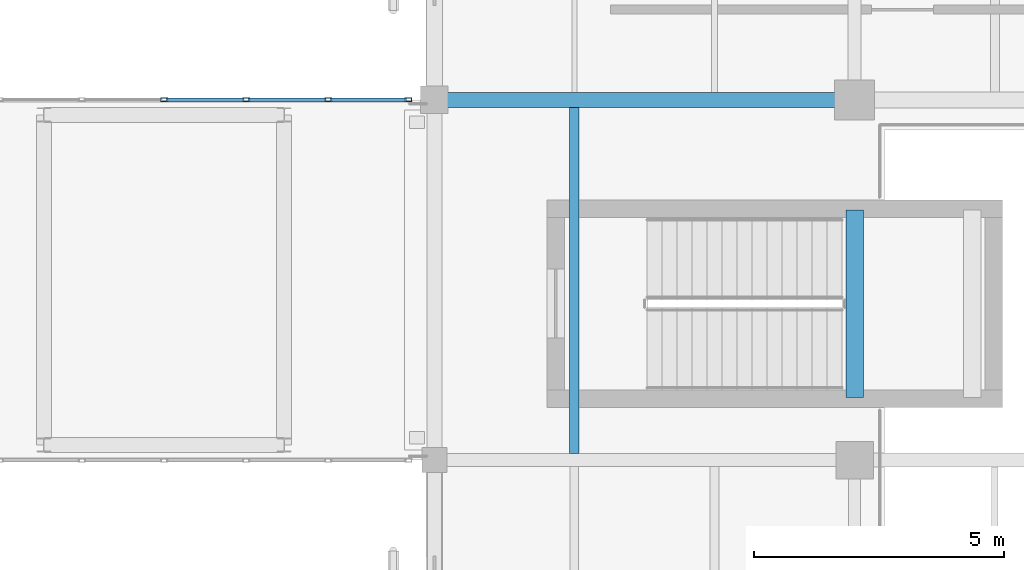
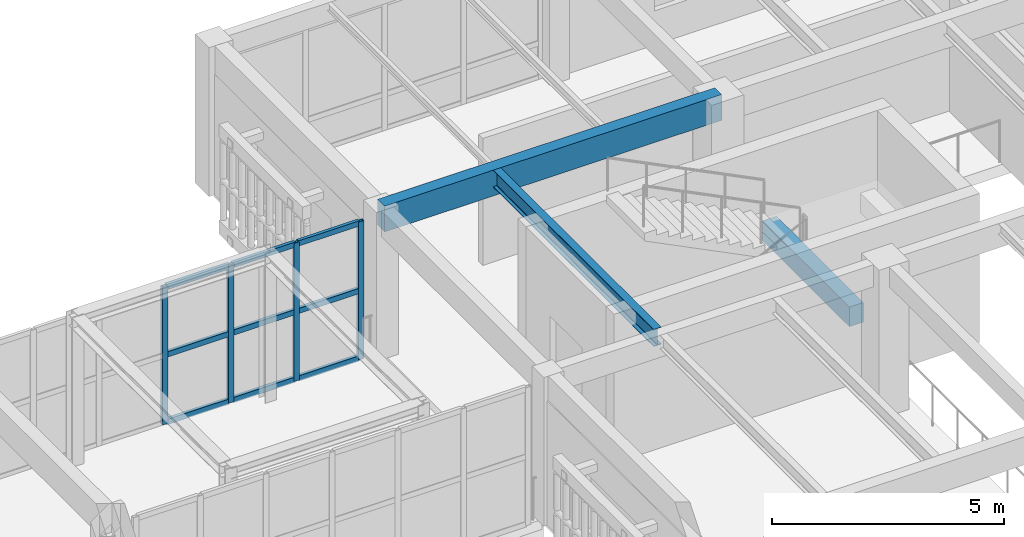
# One storey, part 27 of 170: 13 members, 3 beams, 1 element without a shape of its own.
"""IFC4 building model written with IfcOpenShell, lengths in metres."""

from ifc_helpers import new_model, si_unit, direction, frame, origin, origin_2d, place, context, subcontext, project, spatial, rectangle, hollow_rectangle, i_section, extrude, material, layer, layer_set, material_profile, profile_set, type_object, element, aggregate, save


model = new_model("IFC4")

# Units and contexts
model_context = context("Model", 3, precision=1e-05, world=origin(), true_north=direction((0.0, 1.0)))
body_context = subcontext(model_context, "Body", "Model", "MODEL_VIEW")
ifc_project = project(units=[si_unit("LENGTHUNIT", "METRE"), si_unit("AREAUNIT", "SQUARE_METRE"), si_unit("VOLUMEUNIT", "CUBIC_METRE"), si_unit("PLANEANGLEUNIT", "RADIAN"), si_unit("MASSUNIT", "GRAM", prefix="KILO")], contexts=[model_context])

# Site, building, storey
site_placement = place(None, origin())
site = spatial("IfcSite", under=ifc_project, at=site_placement, CompositionType="ELEMENT")
building_placement = place(site_placement, origin())
building = spatial("IfcBuilding", under=site, at=building_placement, Name="Mazaris Harbour Polytechnic", CompositionType="ELEMENT")
storey_placement = place(building_placement, frame((0.0, 0.0, 5.39990234375)))
storey = spatial("IfcBuildingStorey", under=building, at=storey_placement, Name="L01", CompositionType="ELEMENT", Elevation=5.39990234375)

# Curtain wall, members
ifc_material_1 = material(Name="Anodised Bronze Aluminium and Low-E Glass", Category="aluminium")
ifc_layer = layer(ifc_material_1, 0.139892578125, Name="Anodised Bronze Aluminium and Low-E Glass")
ifc_layer_set = layer_set([ifc_layer], Name="Anodised Bronze Aluminium and Low-E Glass")
curtain_wall_type = type_object("IfcCurtainWallType", Name="Seismic Link Bridge Glazing", PredefinedType="NOTDEFINED", material=ifc_layer_set)
curtain_wall_placement = place(storey_placement, origin())
curtain_wall = element("IfcCurtainWall", 1, at=curtain_wall_placement, inside=storey, type_object=curtain_wall_type, Name="PB-W1 L01 Bridge Glazing", PredefinedType="NOTDEFINED")
ifc_material_2 = material(Name="Anodised Bronze Steel S355", Category="steel")
ifc_material_profile_1 = material_profile(ifc_material_2, hollow_rectangle(XDim=0.080078125, YDim=0.139892578125, WallThickness=0.00634765625, at=origin_2d()), Name="RHS 80x140x6.3")
ifc_profile_set_1 = profile_set([ifc_material_profile_1], Name="Anodised Bronze Steel S355")
member_type_1 = type_object("IfcMemberType", Name="Curtain Mullion RHS80x140", PredefinedType="MULLION", material=ifc_profile_set_1)
member_1_placement = place(storey_placement, frame((53.47998046875, 28.800048828125, 0.0), z_axis=(0.0, 0.0, 1.0), x_axis=(0.0, -1.0, 0.0)))
member_1 = element("IfcMember", 2, at=member_1_placement, type_object=member_type_1, Name="CW-05 mullion 1", PredefinedType="MULLION", context=body_context, shape_type="SweptSolid", body=[
    extrude(hollow_rectangle(XDim=0.080078125, YDim=0.139892578125, WallThickness=0.00634765625, at=origin_2d()), origin(), (0.0, 0.0, 1.0), 3.635009765625),
])
member_2_placement = place(storey_placement, frame((51.8798828125, 28.800048828125, 0.0), z_axis=(0.0, 0.0, 1.0), x_axis=(0.0, -1.0, 0.0)))
member_2 = element("IfcMember", 3, at=member_2_placement, type_object=member_type_1, Name="CW-05 mullion 2", PredefinedType="MULLION", context=body_context, shape_type="SweptSolid", body=[
    extrude(hollow_rectangle(XDim=0.080078125, YDim=0.139892578125, WallThickness=0.00634765625, at=origin_2d()), origin(), (0.0, 0.0, 1.0), 3.635009765625),
])
member_3_placement = place(storey_placement, frame((50.239990234375, 28.800048828125, 0.0), z_axis=(0.0, 0.0, 1.0), x_axis=(0.0, -1.0, 0.0)))
member_3 = element("IfcMember", 4, at=member_3_placement, type_object=member_type_1, Name="CW-05 mullion 3", PredefinedType="MULLION", context=body_context, shape_type="SweptSolid", body=[
    extrude(hollow_rectangle(XDim=0.080078125, YDim=0.139892578125, WallThickness=0.00634765625, at=origin_2d()), origin(), (0.0, 0.0, 1.0), 3.635009765625),
])
member_4_placement = place(storey_placement, frame((48.60009765625, 28.800048828125, 0.0), z_axis=(0.0, 0.0, 1.0), x_axis=(0.0, -1.0, 0.0)))
member_4 = element("IfcMember", 5, at=member_4_placement, type_object=member_type_1, Name="CW-05 mullion 4", PredefinedType="MULLION", context=body_context, shape_type="SweptSolid", body=[
    extrude(hollow_rectangle(XDim=0.080078125, YDim=0.139892578125, WallThickness=0.00634765625, at=origin_2d()), origin(), (0.0, 0.0, 1.0), 3.635009765625),
])
ifc_material_3 = material(Name="Anodised Bronze Steel S355", Category="steel")
ifc_material_profile_2 = material_profile(ifc_material_3, hollow_rectangle(XDim=0.080078125, YDim=0.139892578125, WallThickness=0.00634765625, at=origin_2d()), Name="RHS 80x140x6.3")
ifc_profile_set_2 = profile_set([ifc_material_profile_2], Name="Anodised Bronze Steel S355")
member_type_2 = type_object("IfcMemberType", Name="Curtain Transom RHS80x140", PredefinedType="USERDEFINED", material=ifc_profile_set_2)
member_5_placement = place(storey_placement, frame((53.43994140625, 28.800048828125, 0.0400390625), z_axis=(-1.0, 0.0, 0.0), x_axis=(0.0, -1.0, 0.0)))
member_5 = element("IfcMember", 6, at=member_5_placement, type_object=member_type_2, Name="CW-05 transom 1.1", ObjectType="TRANSOM", PredefinedType="USERDEFINED", context=body_context, shape_type="SweptSolid", body=[
    extrude(hollow_rectangle(XDim=0.080078125, YDim=0.139892578125, WallThickness=0.00634765625, at=origin_2d()), origin(), (0.0, 0.0, 1.0), 1.52001953125),
])
member_6_placement = place(storey_placement, frame((53.43994140625, 28.800048828125, 1.817626953125), z_axis=(-1.0, 0.0, 0.0), x_axis=(0.0, -1.0, 0.0)))
member_6 = element("IfcMember", 7, at=member_6_placement, type_object=member_type_2, Name="CW-05 transom 1.2", ObjectType="TRANSOM", PredefinedType="USERDEFINED", context=body_context, shape_type="SweptSolid", body=[
    extrude(hollow_rectangle(XDim=0.080078125, YDim=0.139892578125, WallThickness=0.00634765625, at=origin_2d()), origin(), (0.0, 0.0, 1.0), 1.52001953125),
])
member_7_placement = place(storey_placement, frame((53.43994140625, 28.800048828125, 3.59521484375), z_axis=(-1.0, 0.0, 0.0), x_axis=(0.0, -1.0, 0.0)))
member_7 = element("IfcMember", 8, at=member_7_placement, type_object=member_type_2, Name="CW-05 transom 1.3", ObjectType="TRANSOM", PredefinedType="USERDEFINED", context=body_context, shape_type="SweptSolid", body=[
    extrude(hollow_rectangle(XDim=0.080078125, YDim=0.139892578125, WallThickness=0.00634765625, at=origin_2d()), origin(), (0.0, 0.0, 1.0), 1.52001953125),
])
member_8_placement = place(storey_placement, frame((51.840087890625, 28.800048828125, 0.0400390625), z_axis=(-1.0, 0.0, 0.0), x_axis=(0.0, -1.0, 0.0)))
member_8 = element("IfcMember", 9, at=member_8_placement, type_object=member_type_2, Name="CW-05 transom 2.1", ObjectType="TRANSOM", PredefinedType="USERDEFINED", context=body_context, shape_type="SweptSolid", body=[
    extrude(hollow_rectangle(XDim=0.080078125, YDim=0.139892578125, WallThickness=0.00634765625, at=origin_2d()), origin(), (0.0, 0.0, 1.0), 1.56005859375),
])
member_9_placement = place(storey_placement, frame((51.840087890625, 28.800048828125, 1.817626953125), z_axis=(-1.0, 0.0, 0.0), x_axis=(0.0, -1.0, 0.0)))
member_9 = element("IfcMember", 10, at=member_9_placement, type_object=member_type_2, Name="CW-05 transom 2.2", ObjectType="TRANSOM", PredefinedType="USERDEFINED", context=body_context, shape_type="SweptSolid", body=[
    extrude(hollow_rectangle(XDim=0.080078125, YDim=0.139892578125, WallThickness=0.00634765625, at=origin_2d()), origin(), (0.0, 0.0, 1.0), 1.56005859375),
])
member_10_placement = place(storey_placement, frame((51.840087890625, 28.800048828125, 3.59521484375), z_axis=(-1.0, 0.0, 0.0), x_axis=(0.0, -1.0, 0.0)))
member_10 = element("IfcMember", 11, at=member_10_placement, type_object=member_type_2, Name="CW-05 transom 2.3", ObjectType="TRANSOM", PredefinedType="USERDEFINED", context=body_context, shape_type="SweptSolid", body=[
    extrude(hollow_rectangle(XDim=0.080078125, YDim=0.139892578125, WallThickness=0.00634765625, at=origin_2d()), origin(), (0.0, 0.0, 1.0), 1.56005859375),
])
member_11_placement = place(storey_placement, frame((50.199951171875, 28.800048828125, 0.0400390625), z_axis=(-1.0, 0.0, 0.0), x_axis=(0.0, -1.0, 0.0)))
member_11 = element("IfcMember", 12, at=member_11_placement, type_object=member_type_2, Name="CW-05 transom 3.1", ObjectType="TRANSOM", PredefinedType="USERDEFINED", context=body_context, shape_type="SweptSolid", body=[
    extrude(hollow_rectangle(XDim=0.080078125, YDim=0.139892578125, WallThickness=0.00634765625, at=origin_2d()), origin(), (0.0, 0.0, 1.0), 1.56005859375),
])
member_12_placement = place(storey_placement, frame((50.199951171875, 28.800048828125, 1.817626953125), z_axis=(-1.0, 0.0, 0.0), x_axis=(0.0, -1.0, 0.0)))
member_12 = element("IfcMember", 13, at=member_12_placement, type_object=member_type_2, Name="CW-05 transom 3.2", ObjectType="TRANSOM", PredefinedType="USERDEFINED", context=body_context, shape_type="SweptSolid", body=[
    extrude(hollow_rectangle(XDim=0.080078125, YDim=0.139892578125, WallThickness=0.00634765625, at=origin_2d()), origin(), (0.0, 0.0, 1.0), 1.56005859375),
])
member_13_placement = place(storey_placement, frame((50.199951171875, 28.800048828125, 3.59521484375), z_axis=(-1.0, 0.0, 0.0), x_axis=(0.0, -1.0, 0.0)))
member_13 = element("IfcMember", 14, at=member_13_placement, type_object=member_type_2, Name="CW-05 transom 3.3", ObjectType="TRANSOM", PredefinedType="USERDEFINED", context=body_context, shape_type="SweptSolid", body=[
    extrude(hollow_rectangle(XDim=0.080078125, YDim=0.139892578125, WallThickness=0.00634765625, at=origin_2d()), origin(), (0.0, 0.0, 1.0), 1.56005859375),
])
aggregate(curtain_wall, [member_1, member_2, member_3, member_4, member_5, member_6, member_7, member_8, member_9, member_10, member_11, member_12, member_13])

# Beams
ifc_material_4 = material(Name="Glulam GL32h", Category="wood")
ifc_material_profile_3 = material_profile(ifc_material_4, rectangle(XDim=0.300048828125, YDim=0.679931640625, at=origin_2d()), Name="RECT300x680")
ifc_profile_set_3 = profile_set([ifc_material_profile_3], Name="Glulam GL32h")
beam_type_1 = type_object("IfcBeamType", Name="Glulam Girder 300x680", PredefinedType="BEAM", material=ifc_profile_set_3)
beam_1_placement = place(storey_placement, frame((54.0, 28.800048828125, 3.580078125), z_axis=(1.0, 0.0, 0.0), x_axis=(0.0, 1.0, 0.0)))
element("IfcBeam", 15, at=beam_1_placement, inside=storey, type_object=beam_type_1, Name="V3 L01 Girder 983", PredefinedType="BEAM", context=body_context, shape_type="SweptSolid", body=[
    extrude(rectangle(XDim=0.300048828125, YDim=0.679931640625, at=origin_2d()), origin(), (0.0, 0.0, 1.0), 8.39990234375),
])
ifc_material_5 = material(Name="Concrete C40/50", Category="concrete")
ifc_material_profile_4 = material_profile(ifc_material_5, rectangle(XDim=0.35009765625, YDim=0.52001953125, at=origin_2d()), Name="RECT350x520")
ifc_profile_set_4 = profile_set([ifc_material_profile_4], Name="Concrete C40/50")
beam_type_2 = type_object("IfcBeamType", Name="RC Landing Bearer 350x520", PredefinedType="BEAM", material=ifc_profile_set_4)
beam_2_placement = place(storey_placement, frame((62.39990234375, 22.85009765625, 1.64013671875), z_axis=(0.0, 1.0, 0.0), x_axis=(-1.0, 0.0, 0.0)))
element("IfcBeam", 16, at=beam_2_placement, inside=storey, type_object=beam_type_2, Name="Core ST05 L01 Landing Bearer", PredefinedType="BEAM", context=body_context, shape_type="SweptSolid", body=[
    extrude(rectangle(XDim=0.35009765625, YDim=0.52001953125, at=origin_2d()), origin(), (0.0, 0.0, 1.0), 3.75),
])
ifc_material_6 = material(Name="Steel S355", Category="steel")
ifc_material_profile_5 = material_profile(ifc_material_6, i_section(OverallWidth=0.18994140625, OverallDepth=0.449951171875, WebThickness=0.009521484375, FlangeThickness=0.0146484375, FilletRadius=0.02099609375, at=origin_2d()), Name="IPE 450")
ifc_profile_set_5 = profile_set([ifc_material_profile_5], Name="Steel S355")
beam_type_3 = type_object("IfcBeamType", Name="Steel Joist IPE450", PredefinedType="JOIST", material=ifc_profile_set_5)
beam_3_placement = place(storey_placement, frame((56.800048828125, 21.72998046875, 3.695068359375), z_axis=(0.0, 1.0, 0.0), x_axis=(-1.0, 0.0, 0.0)))
element("IfcBeam", 17, at=beam_3_placement, inside=storey, type_object=beam_type_3, Name="V3 L01 Floor Joist 1021", PredefinedType="JOIST", context=body_context, shape_type="SweptSolid", body=[
    extrude(i_section(OverallWidth=0.18994140625, OverallDepth=0.449951171875, WebThickness=0.009521484375, FlangeThickness=0.0146484375, FilletRadius=0.02099609375, at=origin_2d()), origin(), (0.0, 0.0, 1.0), 6.919921875),
])

save(model, "model.ifc")
